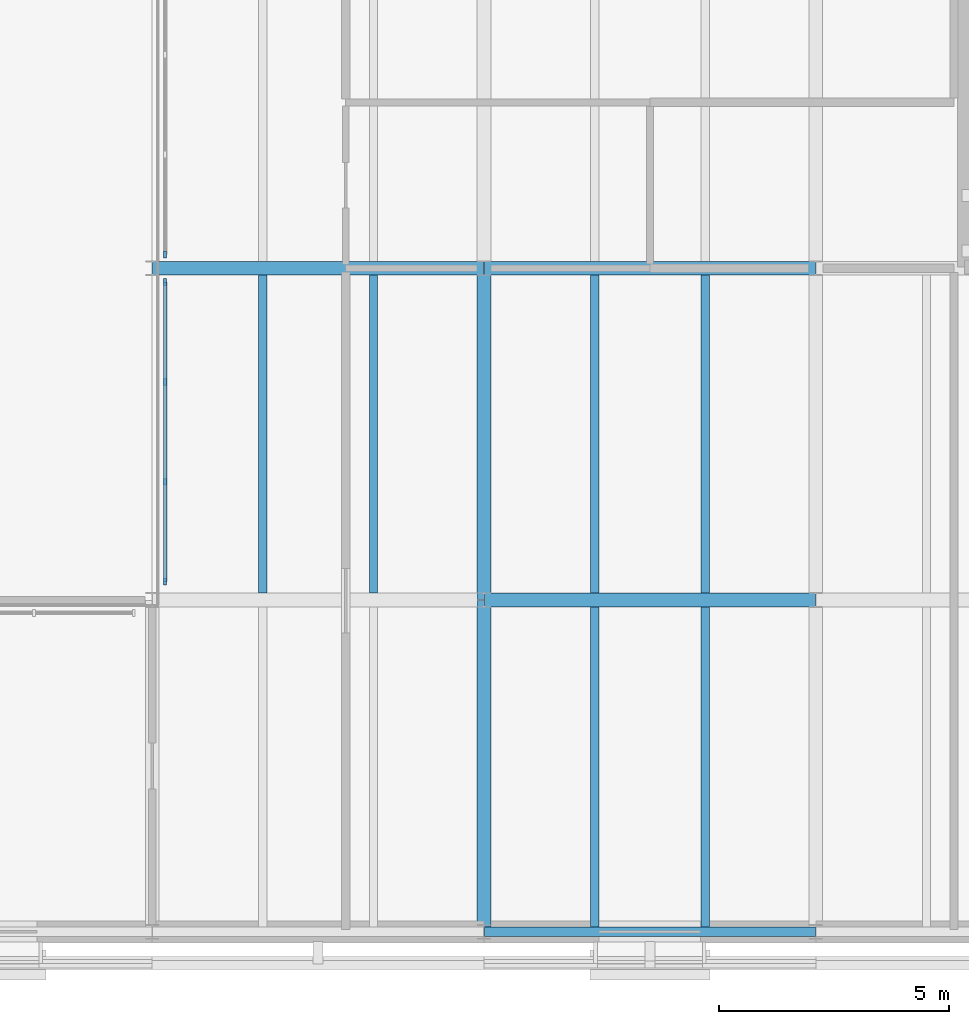
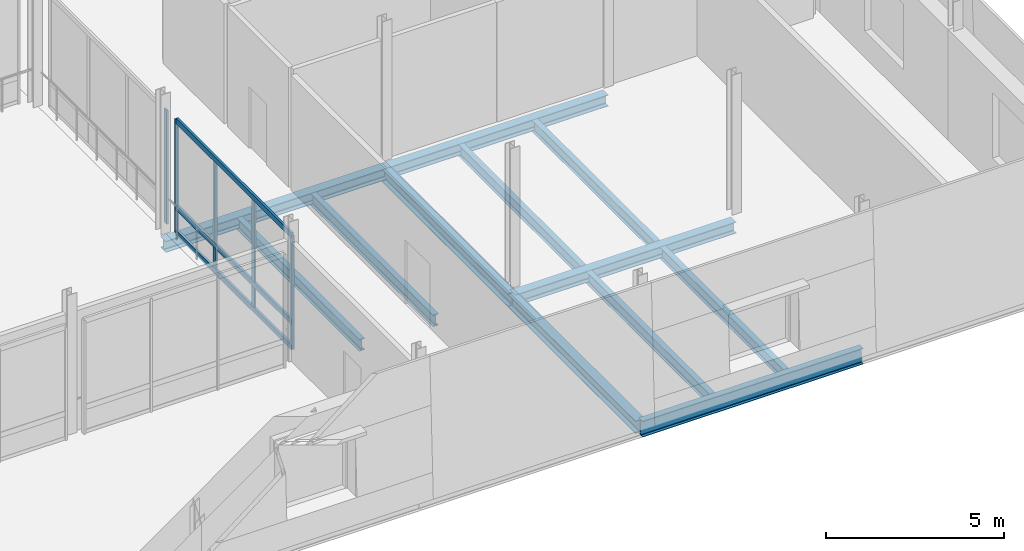
# One storey, part 39 of 121: 12 beams, 8 members, 2 elements without a shape of their own.
"""IFC4 building model written with IfcOpenShell, lengths in metres."""

from ifc_helpers import new_model, si_unit, direction, frame, origin, origin_2d, place, context, subcontext, project, spatial, rectangle, i_section, extrude, material, layer, layer_set, material_profile, profile_set, type_object, element, aggregate, save


model = new_model("IFC4")

# Units and contexts
model_context = context("Model", 3, precision=1e-05, world=origin(), true_north=direction((0.0, 1.0)))
body_context = subcontext(model_context, "Body", "Model", "MODEL_VIEW")
ifc_project = project(units=[si_unit("LENGTHUNIT", "METRE"), si_unit("AREAUNIT", "SQUARE_METRE"), si_unit("VOLUMEUNIT", "CUBIC_METRE"), si_unit("PLANEANGLEUNIT", "RADIAN"), si_unit("MASSUNIT", "GRAM", prefix="KILO")], contexts=[model_context])

# Site, building, storey
site_placement = place(None, origin())
site = spatial("IfcSite", under=ifc_project, at=site_placement, CompositionType="ELEMENT")
building_placement = place(site_placement, origin())
building = spatial("IfcBuilding", under=site, at=building_placement, Name="Narikvali Park Central Library", CompositionType="ELEMENT")
storey_placement = place(building_placement, frame((0.0, 0.0, 5.39990234375)))
storey = spatial("IfcBuildingStorey", under=building, at=storey_placement, Name="L01", CompositionType="ELEMENT", Elevation=5.39990234375)

# Beams
ifc_material_1 = material(Name="Steel S355", Category="steel")
ifc_material_profile_1 = material_profile(ifc_material_1, i_section(OverallWidth=0.179931640625, OverallDepth=0.39990234375, WebThickness=0.008544921875, FlangeThickness=0.013427734375, FilletRadius=0.02099609375, at=origin_2d()), Name="IPE 400")
ifc_profile_set_1 = profile_set([ifc_material_profile_1], Name="Steel S355")
beam_type_1 = type_object("IfcBeamType", Name="Composite Floor Joist IPE400", PredefinedType="JOIST", material=ifc_profile_set_1)
for number, where, z_axis, x_axis, name in (
    (1, (146.39990234375, 7.35009765625, -0.47998046875), (0.0, 1.0, 0.0), (-1.0, 0.0, 0.0), "V6 L01 Composite Joist 1"),
    (2, (148.800048828125, 7.35009765625, -0.47998046875), (0.0, 1.0, 0.0), (-1.0, 0.0, 0.0), "V6 L01 Composite Joist 2"),
):
    element("IfcBeam", number, at=place(storey_placement, frame(where, z_axis=z_axis, x_axis=x_axis)), inside=storey, type_object=beam_type_1, Name=name, PredefinedType="JOIST", context=body_context, shape_type="SweptSolid", body=[
        extrude(i_section(OverallWidth=0.179931640625, OverallDepth=0.39990234375, WebThickness=0.008544921875, FlangeThickness=0.013427734375, FilletRadius=0.02099609375, at=origin_2d()), origin(), (0.0, 0.0, 1.0), 6.89990234375),
    ])
for number, where, z_axis, x_axis, name in (
    (3, (153.60009765625, 0.10498046875, -0.47998046875), (0.0, 1.0, 0.0), (-1.0, 0.0, 0.0), "V6 L01 Composite Joist 1"),
    (4, (156.0, 0.10498046875, -0.47998046875), (0.0, 1.0, 0.0), (-1.0, 0.0, 0.0), "V6 L01 Composite Joist 2"),
):
    element("IfcBeam", number, at=place(storey_placement, frame(where, z_axis=z_axis, x_axis=x_axis)), inside=storey, type_object=beam_type_1, Name=name, PredefinedType="JOIST", context=body_context, shape_type="SweptSolid", body=[
        extrude(i_section(OverallWidth=0.179931640625, OverallDepth=0.39990234375, WebThickness=0.008544921875, FlangeThickness=0.013427734375, FilletRadius=0.02099609375, at=origin_2d()), origin(), (0.0, 0.0, 1.0), 6.945068359375),
    ])
for number, where, z_axis, x_axis, name in (
    (5, (153.60009765625, 7.35009765625, -0.47998046875), (0.0, 1.0, 0.0), (-1.0, 0.0, 0.0), "V6 L01 Composite Joist 1"),
    (6, (156.0, 7.35009765625, -0.47998046875), (0.0, 1.0, 0.0), (-1.0, 0.0, 0.0), "V6 L01 Composite Joist 2"),
):
    element("IfcBeam", number, at=place(storey_placement, frame(where, z_axis=z_axis, x_axis=x_axis)), inside=storey, type_object=beam_type_1, Name=name, PredefinedType="JOIST", context=body_context, shape_type="SweptSolid", body=[
        extrude(i_section(OverallWidth=0.179931640625, OverallDepth=0.39990234375, WebThickness=0.008544921875, FlangeThickness=0.013427734375, FilletRadius=0.02099609375, at=origin_2d()), origin(), (0.0, 0.0, 1.0), 6.89990234375),
    ])

# Curtain wall, members
ifc_material_2 = material(Name="Anodised Bronze Aluminium", Category="aluminium")
ifc_layer = layer(ifc_material_2, 0.219970703125, Name="Anodised Bronze Aluminium")
ifc_layer_set = layer_set([ifc_layer], Name="Anodised Bronze Aluminium")
curtain_wall_type = type_object("IfcCurtainWallType", Name="Atrium Tall Curtain Wall System", PredefinedType="NOTDEFINED", material=ifc_layer_set)
curtain_wall_1_placement = place(storey_placement, origin())
curtain_wall_1 = element("IfcCurtainWall", 7, at=curtain_wall_1_placement, inside=storey, type_object=curtain_wall_type, Name="Atrium Tall Curtain Wall System CW-INT-V6-L01-E1", PredefinedType="NOTDEFINED")
ifc_material_profile_2 = material_profile(ifc_material_2, rectangle(XDim=0.074951171875, YDim=0.179931640625, at=origin_2d()), Name="CW TRANSOM 75x180")
ifc_profile_set_2 = profile_set([ifc_material_profile_2], Name="Anodised Bronze Aluminium")
member_type_1 = type_object("IfcMemberType", Name="Curtain Wall Heavy Transom 75x180", PredefinedType="USERDEFINED", material=ifc_profile_set_2)
member_1_placement = place(storey_placement, frame((144.280029296875, 7.60009765625, 0.030029296875), z_axis=(0.0, 1.0, 0.0), x_axis=(-1.0, 0.0, 0.0)))
member_1 = element("IfcMember", 8, at=member_1_placement, type_object=member_type_1, Name="CW-INT-V6-L01-E1 Transom 00", ObjectType="TRANSOM", PredefinedType="USERDEFINED", context=body_context, shape_type="SweptSolid", body=[
    extrude(rectangle(XDim=0.074951171875, YDim=0.179931640625, at=origin_2d()), origin(), (0.0, 0.0, 1.0), 6.5),
])
member_2_placement = place(storey_placement, frame((144.280029296875, 7.60009765625, 0.900146484375), z_axis=(0.0, 1.0, 0.0), x_axis=(-1.0, 0.0, 0.0)))
member_2 = element("IfcMember", 9, at=member_2_placement, type_object=member_type_1, Name="CW-INT-V6-L01-E1 Transom 01", ObjectType="TRANSOM", PredefinedType="USERDEFINED", context=body_context, shape_type="SweptSolid", body=[
    extrude(rectangle(XDim=0.074951171875, YDim=0.179931640625, at=origin_2d()), origin(), (0.0, 0.0, 1.0), 6.5),
])
member_3_placement = place(storey_placement, frame((144.280029296875, 7.60009765625, 3.8701171875), z_axis=(0.0, 1.0, 0.0), x_axis=(-1.0, 0.0, 0.0)))
member_3 = element("IfcMember", 10, at=member_3_placement, type_object=member_type_1, Name="CW-INT-V6-L01-E1 Transom 02", ObjectType="TRANSOM", PredefinedType="USERDEFINED", context=body_context, shape_type="SweptSolid", body=[
    extrude(rectangle(XDim=0.074951171875, YDim=0.179931640625, at=origin_2d()), origin(), (0.0, 0.0, 1.0), 6.5),
])
ifc_material_profile_3 = material_profile(ifc_material_2, rectangle(XDim=0.06005859375, YDim=0.14990234375, at=origin_2d()), Name="CW MULLION 60x150")
ifc_profile_set_3 = profile_set([ifc_material_profile_3], Name="Anodised Bronze Aluminium")
member_type_2 = type_object("IfcMemberType", Name="Curtain Wall Mullion 60x150", PredefinedType="MULLION", material=ifc_profile_set_3)
member_4_placement = place(storey_placement, frame((144.280029296875, 7.60009765625, -0.010009765625), z_axis=(0.0, 0.0, 1.0), x_axis=(1.0, 0.0, 0.0)))
member_4 = element("IfcMember", 11, at=member_4_placement, type_object=member_type_2, Name="CW-INT-V6-L01-E1 Mullion 00", PredefinedType="MULLION", context=body_context, shape_type="SweptSolid", body=[
    extrude(rectangle(XDim=0.06005859375, YDim=0.14990234375, at=origin_2d()), origin(), (0.0, 0.0, 1.0), 3.91015625),
])
member_5_placement = place(storey_placement, frame((144.280029296875, 9.7666015625, -0.010009765625), z_axis=(0.0, 0.0, 1.0), x_axis=(1.0, 0.0, 0.0)))
member_5 = element("IfcMember", 12, at=member_5_placement, type_object=member_type_2, Name="CW-INT-V6-L01-E1 Mullion 01", PredefinedType="MULLION", context=body_context, shape_type="SweptSolid", body=[
    extrude(rectangle(XDim=0.06005859375, YDim=0.14990234375, at=origin_2d()), origin(), (0.0, 0.0, 1.0), 3.91015625),
])
member_6_placement = place(storey_placement, frame((144.280029296875, 11.933349609375, -0.010009765625), z_axis=(0.0, 0.0, 1.0), x_axis=(1.0, 0.0, 0.0)))
member_6 = element("IfcMember", 13, at=member_6_placement, type_object=member_type_2, Name="CW-INT-V6-L01-E1 Mullion 02", PredefinedType="MULLION", context=body_context, shape_type="SweptSolid", body=[
    extrude(rectangle(XDim=0.06005859375, YDim=0.14990234375, at=origin_2d()), origin(), (0.0, 0.0, 1.0), 3.91015625),
])
member_7_placement = place(storey_placement, frame((144.280029296875, 14.10009765625, -0.010009765625), z_axis=(0.0, 0.0, 1.0), x_axis=(1.0, 0.0, 0.0)))
member_7 = element("IfcMember", 14, at=member_7_placement, type_object=member_type_2, Name="CW-INT-V6-L01-E1 Mullion 03", PredefinedType="MULLION", context=body_context, shape_type="SweptSolid", body=[
    extrude(rectangle(XDim=0.06005859375, YDim=0.14990234375, at=origin_2d()), origin(), (0.0, 0.0, 1.0), 3.91015625),
])
aggregate(curtain_wall_1, [member_4, member_5, member_6, member_7, member_1, member_2, member_3])

# Curtain wall, member
curtain_wall_2_placement = place(storey_placement, origin())
curtain_wall_2 = element("IfcCurtainWall", 15, at=curtain_wall_2_placement, inside=storey, type_object=curtain_wall_type, Name="Atrium Tall Curtain Wall System CW-INT-V6-L01-E2", PredefinedType="NOTDEFINED")
member_8_placement = place(storey_placement, frame((144.280029296875, 14.699951171875, -0.010009765625), z_axis=(0.0, 0.0, 1.0), x_axis=(1.0, 0.0, 0.0)))
member_8 = element("IfcMember", 16, at=member_8_placement, type_object=member_type_2, Name="CW-INT-V6-L01-E2 Mullion 00", PredefinedType="MULLION", context=body_context, shape_type="SweptSolid", body=[
    extrude(rectangle(XDim=0.06005859375, YDim=0.14990234375, at=origin_2d()), origin(), (0.0, 0.0, 1.0), 3.91015625),
])
aggregate(curtain_wall_2, [member_8])

# Beams
ifc_material_profile_4 = material_profile(ifc_material_1, i_section(OverallWidth=0.2099609375, OverallDepth=0.550048828125, WebThickness=0.010986328125, FlangeThickness=0.01708984375, FilletRadius=0.02392578125, at=origin_2d()), Name="IPE 550")
ifc_profile_set_4 = profile_set([ifc_material_profile_4], Name="Steel S355")
beam_type_2 = type_object("IfcBeamType", Name="Perimeter Spandrel IPE550", PredefinedType="SPANDREL", material=ifc_profile_set_4)
beam_1_placement = place(storey_placement, frame((151.2080078125, 0.0, -0.554931640625), z_axis=(1.0, 0.0, 0.0), x_axis=(0.0, 1.0, 0.0)))
element("IfcBeam", 17, at=beam_1_placement, inside=storey, type_object=beam_type_2, Name="V6 L01 Girder X", PredefinedType="SPANDREL", context=body_context, shape_type="SweptSolid", body=[
    extrude(i_section(OverallWidth=0.2099609375, OverallDepth=0.550048828125, WebThickness=0.010986328125, FlangeThickness=0.01708984375, FilletRadius=0.02392578125, at=origin_2d()), origin(), (0.0, 0.0, 1.0), 7.18408203125),
])
ifc_material_profile_5 = material_profile(ifc_material_1, i_section(OverallWidth=0.300048828125, OverallDepth=0.389892578125, WebThickness=0.010986328125, FlangeThickness=0.01904296875, FilletRadius=0.027099609375, at=origin_2d()), Name="HEA 400")
ifc_profile_set_5 = profile_set([ifc_material_profile_5], Name="Steel S355")
beam_type_3 = type_object("IfcBeamType", Name="Primary Girder HEA400", PredefinedType="BEAM", material=ifc_profile_set_5)
beam_2_placement = place(storey_placement, frame((151.2080078125, 7.199951171875, -0.474853515625), z_axis=(1.0, 0.0, 0.0), x_axis=(0.0, 1.0, 0.0)))
element("IfcBeam", 18, at=beam_2_placement, inside=storey, type_object=beam_type_3, Name="V6 L01 Girder X", PredefinedType="BEAM", context=body_context, shape_type="SweptSolid", body=[
    extrude(i_section(OverallWidth=0.300048828125, OverallDepth=0.389892578125, WebThickness=0.010986328125, FlangeThickness=0.01904296875, FilletRadius=0.027099609375, at=origin_2d()), origin(), (0.0, 0.0, 1.0), 7.18408203125),
])
beam_3_placement = place(storey_placement, frame((144.008056640625, 14.39990234375, -0.474853515625), z_axis=(1.0, 0.0, 0.0), x_axis=(0.0, 1.0, 0.0)))
element("IfcBeam", 19, at=beam_3_placement, inside=storey, type_object=beam_type_3, Name="V6 L01 Girder X", PredefinedType="BEAM", context=body_context, shape_type="SweptSolid", body=[
    extrude(i_section(OverallWidth=0.300048828125, OverallDepth=0.389892578125, WebThickness=0.010986328125, FlangeThickness=0.01904296875, FilletRadius=0.027099609375, at=origin_2d()), origin(), (0.0, 0.0, 1.0), 7.183837890625),
])
beam_4_placement = place(storey_placement, frame((151.2080078125, 14.39990234375, -0.474853515625), z_axis=(1.0, 0.0, 0.0), x_axis=(0.0, 1.0, 0.0)))
element("IfcBeam", 20, at=beam_4_placement, inside=storey, type_object=beam_type_3, Name="V6 L01 Girder X", PredefinedType="BEAM", context=body_context, shape_type="SweptSolid", body=[
    extrude(i_section(OverallWidth=0.300048828125, OverallDepth=0.389892578125, WebThickness=0.010986328125, FlangeThickness=0.01904296875, FilletRadius=0.027099609375, at=origin_2d()), origin(), (0.0, 0.0, 1.0), 7.18408203125),
])
ifc_material_profile_6 = material_profile(ifc_material_1, i_section(OverallWidth=0.300048828125, OverallDepth=0.43994140625, WebThickness=0.011474609375, FlangeThickness=0.02099609375, FilletRadius=0.027099609375, at=origin_2d()), Name="HEA 450")
ifc_profile_set_6 = profile_set([ifc_material_profile_6], Name="Steel S355")
beam_type_4 = type_object("IfcBeamType", Name="Primary Girder HEA450", PredefinedType="BEAM", material=ifc_profile_set_6)
beam_5_placement = place(storey_placement, frame((151.199951171875, 0.008056640625, -0.5), z_axis=(0.0, 1.0, 0.0), x_axis=(-1.0, 0.0, 0.0)))
element("IfcBeam", 21, at=beam_5_placement, inside=storey, type_object=beam_type_4, Name="V6 L01 Girder Y", PredefinedType="BEAM", context=body_context, shape_type="SweptSolid", body=[
    extrude(i_section(OverallWidth=0.300048828125, OverallDepth=0.43994140625, WebThickness=0.011474609375, FlangeThickness=0.02099609375, FilletRadius=0.027099609375, at=origin_2d()), origin(), (0.0, 0.0, 1.0), 7.183837890625),
])
beam_6_placement = place(storey_placement, frame((151.199951171875, 7.2080078125, -0.5), z_axis=(0.0, 1.0, 0.0), x_axis=(-1.0, 0.0, 0.0)))
element("IfcBeam", 22, at=beam_6_placement, inside=storey, type_object=beam_type_4, Name="V6 L01 Girder Y", PredefinedType="BEAM", context=body_context, shape_type="SweptSolid", body=[
    extrude(i_section(OverallWidth=0.300048828125, OverallDepth=0.43994140625, WebThickness=0.011474609375, FlangeThickness=0.02099609375, FilletRadius=0.027099609375, at=origin_2d()), origin(), (0.0, 0.0, 1.0), 7.18408203125),
])

save(model, "model.ifc")
